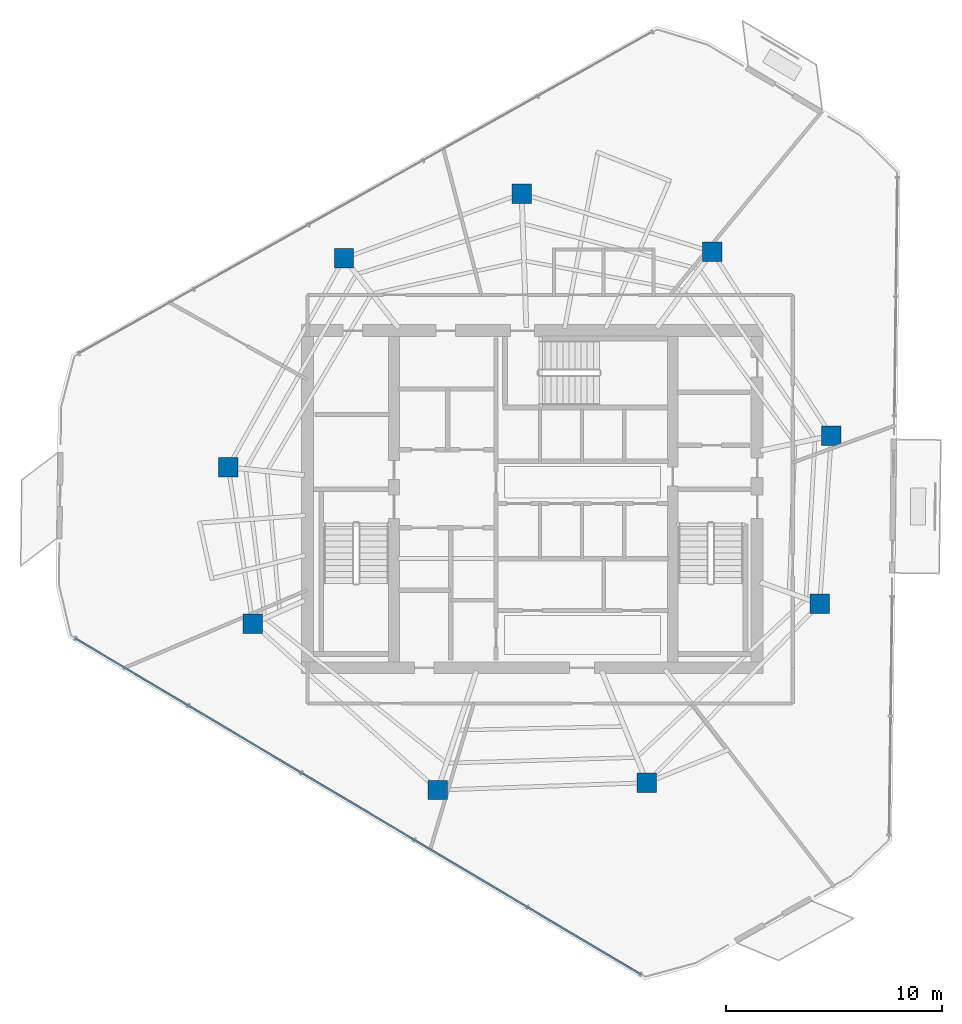
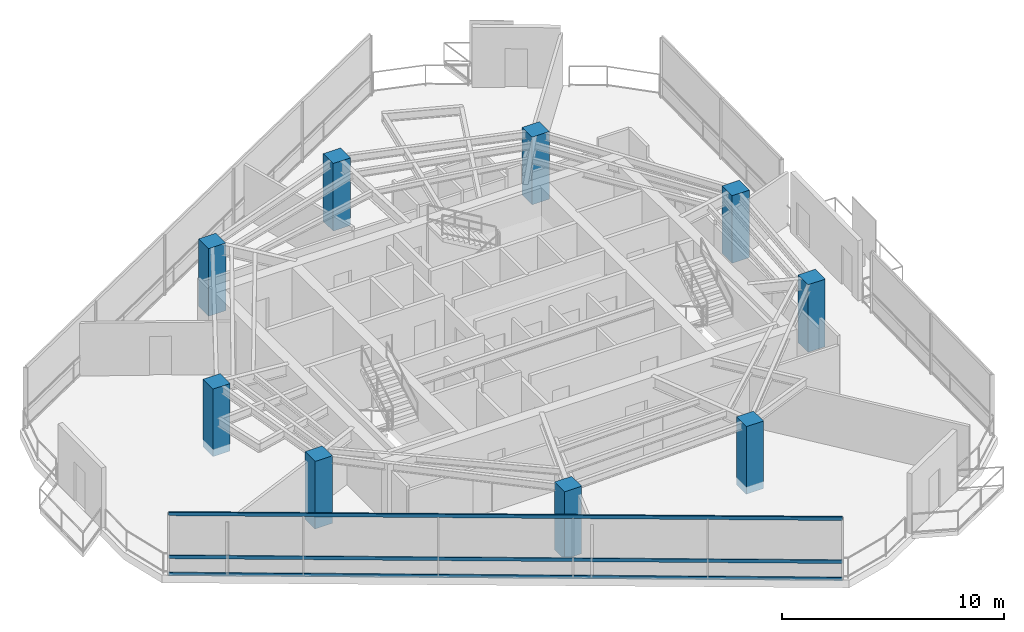
# One storey, part 1 of 18: 9 columns, 3 members, 1 element without a shape of its own.
"""IFC4 building model written with IfcOpenShell, lengths in metres."""

from ifc_helpers import new_model, si_unit, direction, frame, origin, origin_2d, place, context, subcontext, project, spatial, rectangle, hollow_rectangle, extrude, material, layer, layer_set, material_profile, profile_set, type_object, element, aggregate, save


model = new_model("IFC4")

# Units and contexts
model_context = context("Model", 3, precision=1e-05, world=origin(), true_north=direction((0.0, 1.0)))
body_context = subcontext(model_context, "Body", "Model", "MODEL_VIEW")
ifc_project = project(units=[si_unit("LENGTHUNIT", "METRE"), si_unit("AREAUNIT", "SQUARE_METRE"), si_unit("VOLUMEUNIT", "CUBIC_METRE"), si_unit("PLANEANGLEUNIT", "RADIAN"), si_unit("MASSUNIT", "GRAM", prefix="KILO")], contexts=[model_context])

# Site, building, storey
site_placement = place(None, origin())
site = spatial("IfcSite", under=ifc_project, at=site_placement, CompositionType="ELEMENT")
building_placement = place(site_placement, origin())
building = spatial("IfcBuilding", under=site, at=building_placement, Name="Qarnah Convention Tower", CompositionType="ELEMENT")
storey_placement = place(building_placement, frame((0.0, 0.0, 177.0)))
storey = spatial("IfcBuildingStorey", under=building, at=storey_placement, Name="L47", CompositionType="ELEMENT", Elevation=177.0)

# Columns
ifc_material_1 = material(Name="Concrete C50/60", Category="concrete")
ifc_material_profile_1 = material_profile(ifc_material_1, rectangle(XDim=0.89990234375, YDim=0.89990234375, at=origin_2d()), Name="RC-COL-900X900")
ifc_profile_set_1 = profile_set([ifc_material_profile_1], Name="Concrete C50/60")
column_type = type_object("IfcColumnType", Name="COL-Z4-900", PredefinedType="COLUMN", material=ifc_profile_set_1)
for number, where, z_axis, x_axis, name in (
    (1, (51.041015625, 29.342041015625, -0.405029296875), (0.0, 0.0, 1.0), (1.0, 0.0, 0.0), "L47 plumb column PC-Z4-01"),
    (2, (45.51708984375, 37.847900390625, -0.405029296875), (0.0, 0.0, 1.0), (1.0, 0.0, 0.0), "L47 plumb column PC-Z4-02"),
    (3, (36.7060546875, 40.541015625, -0.405029296875), (0.0, 0.0, 1.0), (1.0, 0.0, 0.0), "L47 plumb column PC-Z4-03"),
    (4, (28.488037109375, 37.550048828125, -0.405029296875), (0.0, 0.0, 1.0), (1.0, 0.0, 0.0), "L47 plumb column PC-Z4-04"),
    (5, (23.1279296875, 27.87890625, -0.405029296875), (0.0, 0.0, 1.0), (1.0, 0.0, 0.0), "L47 plumb column PC-Z4-05"),
    (6, (24.27294921875, 20.64501953125, -0.405029296875), (0.0, 0.0, 1.0), (1.0, 0.0, 0.0), "L47 plumb column PC-Z4-06"),
    (7, (32.826904296875, 12.943115234375, -0.405029296875), (0.0, 0.0, 1.0), (1.0, 0.0, 0.0), "L47 plumb column PC-Z4-07"),
    (8, (42.5009765625, 13.280029296875, -0.405029296875), (0.0, 0.0, 1.0), (1.0, 0.0, 0.0), "L47 plumb column PC-Z4-08"),
    (9, (50.4970703125, 21.56005859375, -0.405029296875), (0.0, 0.0, 1.0), (1.0, 0.0, 0.0), "L47 plumb column PC-Z4-09"),
):
    element("IfcColumn", number, at=place(storey_placement, frame(where, z_axis=z_axis, x_axis=x_axis)), inside=storey, type_object=column_type, Name=name, PredefinedType="COLUMN", context=body_context, shape_type="SweptSolid", body=[
        extrude(rectangle(XDim=0.89990234375, YDim=0.89990234375, at=origin_2d()), origin(), (0.0, 0.0, 1.0), 3.72509765625),
    ])

# Curtain wall, members
ifc_material_2 = material(Name="Tempered Low-E dark glass", Category="glass")
ifc_layer = layer(ifc_material_2, 0.174072265625)
ifc_layer_set = layer_set([ifc_layer], Name="Tempered Low-E dark glass")
curtain_wall_type = type_object("IfcCurtainWallType", Name="CWS-04", PredefinedType="NOTDEFINED", material=ifc_layer_set)
curtain_wall_placement = place(storey_placement, origin())
curtain_wall = element("IfcCurtainWall", 10, at=curtain_wall_placement, inside=storey, type_object=curtain_wall_type, Name="L47 unitised curtain wall CW-L47-F1", PredefinedType="NOTDEFINED")
ifc_material_3 = material(Name="Black anodised aluminium", Category="aluminium")
ifc_material_profile_2 = material_profile(ifc_material_3, hollow_rectangle(XDim=0.074951171875, YDim=0.18994140625, WallThickness=0.0048828125, at=origin_2d()), Name="TRN-75X190")
ifc_profile_set_2 = profile_set([ifc_material_profile_2], Name="Black anodised aluminium")
member_type = type_object("IfcMemberType", Name="TRN-T4", PredefinedType="USERDEFINED", material=ifc_profile_set_2)
member_1_placement = place(storey_placement, frame((42.208984375, 4.408935546875, 0.0), z_axis=(-0.859651402235, 0.510881068973, 0.0), x_axis=(-0.510881068973, -0.859651402235, 0.0)))
member_1 = element("IfcMember", 11, at=member_1_placement, type_object=member_type, Name="CW-L47-F1 transom 1", ObjectType="TRANSOM", PredefinedType="USERDEFINED", context=body_context, shape_type="SweptSolid", body=[
    extrude(hollow_rectangle(XDim=0.074951171875, YDim=0.18994140625, WallThickness=0.0048828125, at=origin_2d()), origin(), (0.0, 0.0, 1.0), 30.431884765625),
])
member_2_placement = place(storey_placement, frame((42.208984375, 4.408935546875, 0.949951171875), z_axis=(-0.859651402235, 0.510881068973, 0.0), x_axis=(-0.510881068973, -0.859651402235, 0.0)))
member_2 = element("IfcMember", 12, at=member_2_placement, type_object=member_type, Name="CW-L47-F1 transom 2", ObjectType="TRANSOM", PredefinedType="USERDEFINED", context=body_context, shape_type="SweptSolid", body=[
    extrude(hollow_rectangle(XDim=0.074951171875, YDim=0.18994140625, WallThickness=0.0048828125, at=origin_2d()), origin(), (0.0, 0.0, 1.0), 30.431884765625),
])
member_3_placement = place(storey_placement, frame((42.208984375, 4.408935546875, 3.320068359375), z_axis=(-0.859651402235, 0.510881068973, 0.0), x_axis=(-0.510881068973, -0.859651402235, 0.0)))
member_3 = element("IfcMember", 13, at=member_3_placement, type_object=member_type, Name="CW-L47-F1 transom 3", ObjectType="TRANSOM", PredefinedType="USERDEFINED", context=body_context, shape_type="SweptSolid", body=[
    extrude(hollow_rectangle(XDim=0.074951171875, YDim=0.18994140625, WallThickness=0.0048828125, at=origin_2d()), origin(), (0.0, 0.0, 1.0), 30.431884765625),
])
aggregate(curtain_wall, [member_1, member_2, member_3])

save(model, "model.ifc")
